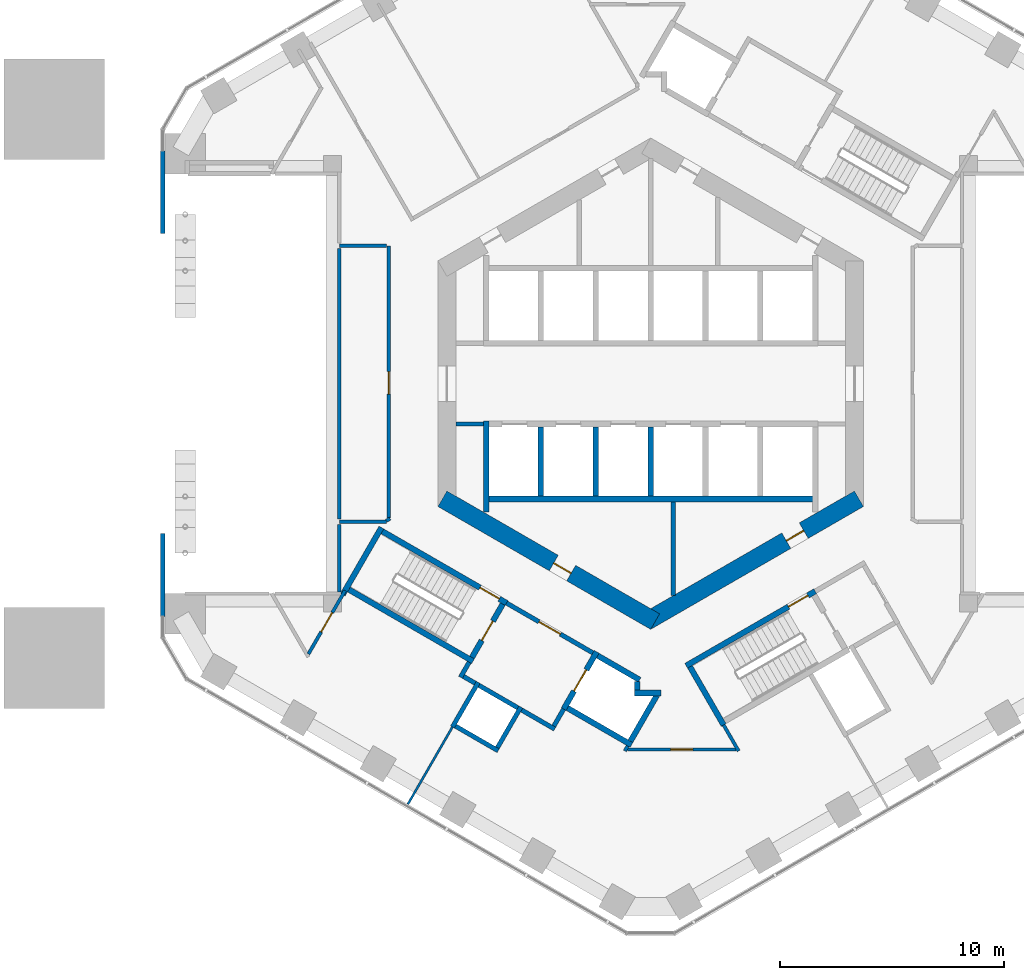
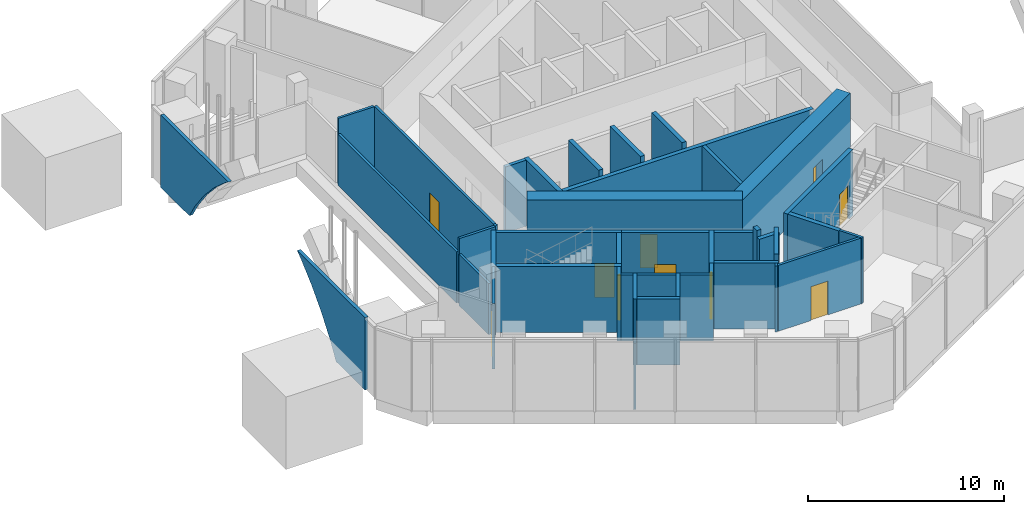
# One storey, part 9 of 14: 43 walls, 10 doors, 10 openings.
"""IFC4 building model written with IfcOpenShell, lengths in metres."""

from ifc_helpers import new_model, si_unit, direction, frame, frame_2d, origin, place, context, subcontext, project, spatial, polyline, rectangle, outline, extrude, material, layer, layer_set, type_object, element, fill, save


model = new_model("IFC4")

# Units and contexts
model_context = context("Model", 3, precision=1e-05, world=origin(), true_north=direction((0.0, 1.0)))
body_context = subcontext(model_context, "Body", "Model", "MODEL_VIEW")
ifc_project = project(units=[si_unit("LENGTHUNIT", "METRE"), si_unit("AREAUNIT", "SQUARE_METRE"), si_unit("VOLUMEUNIT", "CUBIC_METRE"), si_unit("PLANEANGLEUNIT", "RADIAN"), si_unit("MASSUNIT", "GRAM", prefix="KILO")], contexts=[model_context])

# Site, building, storey
site_placement = place(None, origin())
site = spatial("IfcSite", under=ifc_project, at=site_placement, CompositionType="ELEMENT")
building_placement = place(site_placement, origin())
building = spatial("IfcBuilding", under=site, at=building_placement, Name="Ayvan Gate Tower", CompositionType="ELEMENT")
storey_placement = place(building_placement, frame((0.0, 0.0, 11.5)))
storey = spatial("IfcBuildingStorey", under=building, at=storey_placement, Name="L02", CompositionType="ELEMENT", Elevation=11.5)

# Walls
ifc_material_1 = material(Name="Pale metal cladding on insulated wall")
ifc_layer_1 = layer(ifc_material_1, 0.199951171875)
ifc_layer_set_1 = layer_set([ifc_layer_1], Name="Pale metal cladding on insulated wall")
wall_type_1 = type_object("IfcWallType", Name="Arch tympanum wall 200", PredefinedType="SOLIDWALL", material=ifc_layer_set_1)
wall_1_placement = place(storey_placement, frame((-21.6845703125, 10.399658203125, 4.5), z_axis=(1.0, 0.0, 0.0), x_axis=(0.0, -1.0, 0.0)))
element("IfcWall", 1, at=wall_1_placement, inside=storey, type_object=wall_type_1, Name="Arch tympanum wall L02 face 3", PredefinedType="SOLIDWALL", context=body_context, shape_type="SweptSolid", body=[
    extrude(outline(polyline([(0.0, 0.0), (6.89404296875, 0.0), (6.54052734375, 0.2568359375), (5.424072265625, 1.251220703125), (4.41162109375, 2.351318359375), (3.512939453125, 3.546142578125), (2.933837890625, 4.5), (0.0, 4.5), (0.0, 0.0)])), origin(), (0.0, 0.0, -1.0), 0.199951171875),
])
wall_2_placement = place(storey_placement, frame((-21.6845703125, -10.399658203125, 0.0), z_axis=(1.0, 0.0, 0.0), x_axis=(0.0, 1.0, 0.0)))
element("IfcWall", 2, at=wall_2_placement, inside=storey, type_object=wall_type_1, Name="Arch tympanum wall L02 face 3", PredefinedType="SOLIDWALL", context=body_context, shape_type="SweptSolid", body=[
    extrude(outline(polyline([(0.0, 0.0), (2.933837890625, 0.0), (3.512939453125, 0.953857421875), (4.41162109375, 2.148681640625), (5.424072265625, 3.248779296875), (6.54052734375, 4.2431640625), (6.89404296875, 4.5), (0.0, 4.5), (0.0, 0.0)])), origin(), (0.0, 0.0, -1.0), 0.199951171875),
])

# Wall, opening, door
ifc_material_2 = material(Name="Concrete C70/85", Category="concrete")
ifc_layer_2 = layer(ifc_material_2, 0.800048828125)
ifc_layer_set_2 = layer_set([ifc_layer_2], Name="Concrete C70/85")
wall_type_2 = type_object("IfcWallType", Name="Core wall 800 C70/85", PredefinedType="SHEAR", material=ifc_layer_set_2)
wall_3_placement = place(storey_placement, frame((-9.300048828125, -5.138427734375, 0.0), z_axis=(0.0, 0.0, 1.0), x_axis=(0.866023993627, -0.500002442456, 0.0)))
wall_3 = element("IfcWall", 3, at=wall_3_placement, inside=storey, type_object=wall_type_2, Name="CORE-L02-4", PredefinedType="SHEAR", context=body_context, shape_type="SweptSolid", body=[
    extrude(rectangle(XDim=10.9697265625, YDim=0.800048828125, at=frame_2d((5.48486328125, 0.0))), origin(), (0.0, 0.0, 1.0), 4.5),
])
opening_1_placement = place(wall_3_placement, frame((5.73974609375, 0.0, 0.0)))
opening_1 = element("IfcOpeningElement", 4, at=opening_1_placement, cuts=wall_3, Name="Opening L02-D31", PredefinedType="OPENING", context=body_context, shape_type="SweptSolid", body=[
    extrude(rectangle(XDim=0.89990234375, YDim=2.10009765625, at=frame_2d((0.449951171875, 1.050048828125))), frame((0.0, 0.409912109375, 0.0), z_axis=(0.0, -1.0, 0.0), x_axis=(1.0, 0.0, 0.0)), (0.0, 0.0, 1.0), 0.820068359375),
])
ifc_material_3 = material(Name="Timber door leaf", Category="wood")
door_type_1 = type_object("IfcDoorType", Name="DT-900", OperationType="NOTDEFINED", PredefinedType="DOOR", material=ifc_material_3)
door_1_placement = place(opening_1_placement, origin())
door_1 = element("IfcDoor", 5, at=door_1_placement, inside=storey, type_object=door_type_1, Name="CD-L02-31", OperationType="SINGLE_SWING_LEFT", OverallHeight=2.10009765625, OverallWidth=0.89990234375, PredefinedType="DOOR", context=body_context, shape_type="SweptSolid", body=[
    extrude(rectangle(XDim=0.89990234375, YDim=2.10009765625, at=frame_2d((0.449951171875, 1.050048828125))), frame((0.0, 0.02490234375, 0.0), z_axis=(0.0, -1.0, 0.0), x_axis=(1.0, 0.0, 0.0)), (0.0, 0.0, 1.0), 0.050048828125),
])
fill(opening_1, door_1)

wall_4_placement = place(storey_placement, frame((-0.199951171875, -10.623291015625, 0.0), z_axis=(0.0, 0.0, 1.0), x_axis=(0.866023993627, 0.500002442456, 0.0)))
wall_4 = element("IfcWall", 6, at=wall_4_placement, inside=storey, type_object=wall_type_2, Name="CORE-L02-5", PredefinedType="SHEAR", context=body_context, shape_type="SweptSolid", body=[
    extrude(rectangle(XDim=10.9697265625, YDim=0.800048828125, at=frame_2d((5.48486328125, 0.0))), origin(), (0.0, 0.0, 1.0), 4.5),
])
opening_2_placement = place(wall_4_placement, frame((7.2236328125, 0.0, 0.0)))
opening_2 = element("IfcOpeningElement", 7, at=opening_2_placement, cuts=wall_4, Name="Opening L02-D32", PredefinedType="OPENING", context=body_context, shape_type="SweptSolid", body=[
    extrude(rectangle(XDim=0.89990234375, YDim=2.10009765625, at=frame_2d((0.449951171875, 1.050048828125))), frame((0.0, 0.409912109375, 0.0), z_axis=(0.0, -1.0, 0.0), x_axis=(1.0, 0.0, 0.0)), (0.0, 0.0, 1.0), 0.820068359375),
])
door_2_placement = place(opening_2_placement, origin())
door_2 = element("IfcDoor", 8, at=door_2_placement, inside=storey, type_object=door_type_1, Name="CD-L02-32", OperationType="SINGLE_SWING_RIGHT", OverallHeight=2.10009765625, OverallWidth=0.89990234375, PredefinedType="DOOR", context=body_context, shape_type="SweptSolid", body=[
    extrude(rectangle(XDim=0.89990234375, YDim=2.10009765625, at=frame_2d((0.449951171875, 1.050048828125))), frame((0.0, 0.02490234375, 0.0), z_axis=(0.0, -1.0, 0.0), x_axis=(1.0, 0.0, 0.0)), (0.0, 0.0, 1.0), 0.050048828125),
])
fill(opening_2, door_2)

# Walls
ifc_material_4 = material(Name="Plasterboard on steel stud", Category="steel")
ifc_layer_3 = layer(ifc_material_4, 0.14990234375)
ifc_layer_set_3 = layer_set([ifc_layer_3], Name="Plasterboard on steel stud")
wall_type_3 = type_object("IfcWallType", Name="WT-CORR-150", PredefinedType="PARTITIONING", material=ifc_layer_set_3)
wall_5_placement = place(storey_placement, frame((-13.89990234375, -9.29296875, 0.0), z_axis=(0.0, 0.0, 1.0), x_axis=(0.0, 1.0, 0.0)))
element("IfcWall", 9, at=wall_5_placement, inside=storey, type_object=wall_type_3, Name="IW-L02-010", PredefinedType="PARTITIONING", context=body_context, shape_type="SweptSolid", body=[
    extrude(rectangle(XDim=3.01220703125, YDim=0.14990234375, at=frame_2d((1.506103515625, 0.0))), origin(), (0.0, 0.0, 1.0), 3.175048828125),
])
wall_6_placement = place(storey_placement, frame((-13.89990234375, -6.160888671875, 0.0), z_axis=(0.0, 0.0, 1.0), x_axis=(1.0, 0.0, 0.0)))
element("IfcWall", 10, at=wall_6_placement, inside=storey, type_object=wall_type_3, Name="IW-L02-011", PredefinedType="PARTITIONING", context=body_context, shape_type="SweptSolid", body=[
    extrude(rectangle(XDim=2.10400390625, YDim=0.14990234375, at=frame_2d((1.052001953125, 0.0))), origin(), (0.0, 0.0, 1.0), 4.10009765625),
])
wall_7_placement = place(storey_placement, frame((-13.89990234375, -6.040771484375, 0.0), z_axis=(0.0, 0.0, 1.0), x_axis=(0.0, 1.0, 0.0)))
element("IfcWall", 11, at=wall_7_placement, inside=storey, type_object=wall_type_3, Name="IW-L02-012", PredefinedType="PARTITIONING", context=body_context, shape_type="SweptSolid", body=[
    extrude(rectangle(XDim=12.08154296875, YDim=0.14990234375, at=frame_2d((6.040771484375, 0.0))), origin(), (0.0, 0.0, 1.0), 3.175048828125),
])

# Wall, opening, door
wall_8_placement = place(storey_placement, frame((-13.647705078125, -9.23876953125, 0.0), z_axis=(0.0, 0.0, 1.0), x_axis=(-0.50004125829, -0.866001581989, 0.0)))
wall_8 = element("IfcWall", 12, at=wall_8_placement, inside=storey, type_object=wall_type_3, Name="IW-L02-016", PredefinedType="PARTITIONING", context=body_context, shape_type="SweptSolid", body=[
    extrude(rectangle(XDim=3.270263671875, YDim=0.14990234375, at=frame_2d((1.63525390625, 0.0))), origin(), (0.0, 0.0, 1.0), 4.10009765625),
])
opening_3_placement = place(wall_8_placement, frame((1.13525390625, 0.0, 0.0)))
opening_3 = element("IfcOpeningElement", 13, at=opening_3_placement, cuts=wall_8, Name="Opening L02-D21", PredefinedType="OPENING", context=body_context, shape_type="SweptSolid", body=[
    extrude(rectangle(XDim=1.0, YDim=2.10009765625, at=frame_2d((0.5, 1.050048828125))), frame((0.0, 0.0849609375, 0.0), z_axis=(0.0, -1.0, 0.0), x_axis=(1.0, 0.0, 0.0)), (0.0, 0.0, 1.0), 0.169921875),
])
door_type_2 = type_object("IfcDoorType", Name="DT-1000", OperationType="NOTDEFINED", PredefinedType="DOOR", material=ifc_material_3)
door_3_placement = place(opening_3_placement, origin())
door_3 = element("IfcDoor", 14, at=door_3_placement, inside=storey, type_object=door_type_2, Name="ID-L02-021", OperationType="SINGLE_SWING_LEFT", OverallHeight=2.10009765625, OverallWidth=1.0, PredefinedType="DOOR", context=body_context, shape_type="SweptSolid", body=[
    extrude(rectangle(XDim=1.0, YDim=2.10009765625, at=frame_2d((0.5, 1.050048828125))), frame((0.0, 0.02490234375, 0.0), z_axis=(0.0, -1.0, 0.0), x_axis=(1.0, 0.0, 0.0)), (0.0, 0.0, 1.0), 0.050048828125),
])
fill(opening_3, door_3)

# Walls
wall_9_placement = place(storey_placement, frame((-11.7958984375, 6.160888671875, 0.0), z_axis=(0.0, 0.0, 1.0), x_axis=(-1.0, 0.0, 0.0)))
element("IfcWall", 15, at=wall_9_placement, inside=storey, type_object=wall_type_3, Name="IW-L02-018", PredefinedType="PARTITIONING", context=body_context, shape_type="SweptSolid", body=[
    extrude(rectangle(XDim=2.10400390625, YDim=0.14990234375, at=frame_2d((1.052001953125, 0.0))), origin(), (0.0, 0.0, 1.0), 4.10009765625),
])
wall_10_placement = place(storey_placement, frame((-11.805908203125, -6.123291015625, 0.0), z_axis=(0.0, 0.0, 1.0), x_axis=(0.866103179807, 0.499865263774, 0.0)))
element("IfcWall", 16, at=wall_10_placement, inside=storey, type_object=wall_type_3, Name="IW-L02-019", PredefinedType="PARTITIONING", context=body_context, shape_type="SweptSolid", body=[
    extrude(rectangle(XDim=0.197265625, YDim=0.14990234375, at=frame_2d((0.0986328125, 0.0))), origin(), (0.0, 0.0, 1.0), 4.10009765625),
])

# Wall, opening, door
wall_11_placement = place(storey_placement, frame((-11.699951171875, -5.9873046875, 0.0), z_axis=(0.0, 0.0, 1.0), x_axis=(0.0, 1.0, 0.0)))
wall_11 = element("IfcWall", 17, at=wall_11_placement, inside=storey, type_object=wall_type_3, Name="IW-L02-020", PredefinedType="PARTITIONING", context=body_context, shape_type="SweptSolid", body=[
    extrude(rectangle(XDim=12.12451171875, YDim=0.14990234375, at=frame_2d((6.062255859375, 0.0))), origin(), (0.0, 0.0, 1.0), 4.10009765625),
])
opening_4_placement = place(wall_11_placement, frame((5.524658203125, 0.0, 0.0)))
opening_4 = element("IfcOpeningElement", 18, at=opening_4_placement, cuts=wall_11, Name="Opening L02-D26", PredefinedType="OPENING", context=body_context, shape_type="SweptSolid", body=[
    extrude(rectangle(XDim=1.0, YDim=2.10009765625, at=frame_2d((0.5, 1.050048828125))), frame((0.0, 0.0849609375, 0.0), z_axis=(0.0, -1.0, 0.0), x_axis=(1.0, 0.0, 0.0)), (0.0, 0.0, 1.0), 0.169921875),
])
door_4_placement = place(opening_4_placement, origin())
door_4 = element("IfcDoor", 19, at=door_4_placement, inside=storey, type_object=door_type_2, Name="ID-L02-026", OperationType="SINGLE_SWING_RIGHT", OverallHeight=2.10009765625, OverallWidth=1.0, PredefinedType="DOOR", context=body_context, shape_type="SweptSolid", body=[
    extrude(rectangle(XDim=1.0, YDim=2.10009765625, at=frame_2d((0.5, 1.050048828125))), frame((0.0, 0.02490234375, 0.0), z_axis=(0.0, -1.0, 0.0), x_axis=(1.0, 0.0, 0.0)), (0.0, 0.0, 1.0), 0.050048828125),
])
fill(opening_4, door_4)

# Walls
wall_12_placement = place(storey_placement, frame((-1.1552734375, -16.40087890625, 0.0), z_axis=(0.0, 0.0, 1.0), x_axis=(0.500134748329, 0.865947592822, 0.0)))
element("IfcWall", 20, at=wall_12_placement, inside=storey, type_object=wall_type_3, Name="IW-L02-053", PredefinedType="PARTITIONING", context=body_context, shape_type="SweptSolid", body=[
    extrude(rectangle(XDim=0.25634765625, YDim=0.14990234375, at=frame_2d((0.128173828125, 0.0))), origin(), (0.0, 0.0, 1.0), 4.10009765625),
])
wall_13_placement = place(storey_placement, frame((3.255615234375, -15.23876953125, 0.0), z_axis=(0.0, 0.0, 1.0), x_axis=(0.499974444137, -0.866040157966, 0.0)))
element("IfcWall", 21, at=wall_13_placement, inside=storey, type_object=wall_type_3, Name="IW-L02-075", PredefinedType="PARTITIONING", context=body_context, shape_type="SweptSolid", body=[
    extrude(rectangle(XDim=1.341796875, YDim=0.14990234375, at=frame_2d((0.6708984375, 0.0))), origin(), (0.0, 0.0, 1.0), 4.10009765625),
])

# Wall, opening, door
wall_14_placement = place(storey_placement, frame((3.81396484375, -16.3359375, 0.0), z_axis=(0.0, 0.0, 1.0), x_axis=(-1.0, 0.0, 0.0)))
wall_14 = element("IfcWall", 22, at=wall_14_placement, inside=storey, type_object=wall_type_3, Name="IW-L02-078", PredefinedType="PARTITIONING", context=body_context, shape_type="SweptSolid", body=[
    extrude(rectangle(XDim=4.856689453125, YDim=0.14990234375, at=frame_2d((2.42822265625, 0.0))), origin(), (0.0, 0.0, 1.0), 4.10009765625),
])
opening_5_placement = place(wall_14_placement, frame((1.92822265625, 0.0, 0.0)))
opening_5 = element("IfcOpeningElement", 23, at=opening_5_placement, cuts=wall_14, Name="Opening L02-D22", PredefinedType="OPENING", context=body_context, shape_type="SweptSolid", body=[
    extrude(rectangle(XDim=1.0, YDim=2.10009765625, at=frame_2d((0.5, 1.050048828125))), frame((0.0, 0.0849609375, 0.0), z_axis=(0.0, -1.0, 0.0), x_axis=(1.0, 0.0, 0.0)), (0.0, 0.0, 1.0), 0.169921875),
])
door_5_placement = place(opening_5_placement, origin())
door_5 = element("IfcDoor", 24, at=door_5_placement, inside=storey, type_object=door_type_2, Name="ID-L02-022", OperationType="SINGLE_SWING_RIGHT", OverallHeight=2.10009765625, OverallWidth=1.0, PredefinedType="DOOR", context=body_context, shape_type="SweptSolid", body=[
    extrude(rectangle(XDim=1.0, YDim=2.10009765625, at=frame_2d((0.5, 1.050048828125))), frame((0.0, 0.02490234375, 0.0), z_axis=(0.0, -1.0, 0.0), x_axis=(1.0, 0.0, 0.0)), (0.0, 0.0, 1.0), 0.050048828125),
])
fill(opening_5, door_5)

# Walls
ifc_layer_4 = layer(ifc_material_4, 0.10009765625)
ifc_layer_set_4 = layer_set([ifc_layer_4], Name="Plasterboard on steel stud")
wall_type_4 = type_object("IfcWallType", Name="WT-PART-100", PredefinedType="PARTITIONING", material=ifc_layer_set_4)
wall_15_placement = place(storey_placement, frame((-8.85009765625, -15.32861328125, 0.0), z_axis=(0.0, 0.0, 1.0), x_axis=(-0.499991453095, -0.866030338286, 0.0)))
element("IfcWall", 25, at=wall_15_placement, inside=storey, type_object=wall_type_4, Name="IW-L02-024", PredefinedType="PARTITIONING", context=body_context, shape_type="SweptSolid", body=[
    extrude(rectangle(XDim=3.98046875, YDim=0.10009765625, at=frame_2d((1.990234375, 0.0))), origin(), (0.0, 0.0, 1.0), 4.10009765625),
])
ifc_layer_5 = layer(ifc_material_4, 0.199951171875)
ifc_layer_set_5 = layer_set([ifc_layer_5], Name="Plasterboard on steel stud")
wall_type_5 = type_object("IfcWallType", Name="WT-PLUMB-200", PredefinedType="PLUMBINGWALL", material=ifc_layer_set_5)
wall_16_placement = place(storey_placement, frame((-8.85009765625, -15.32861328125, 0.0), z_axis=(0.0, 0.0, 1.0), x_axis=(0.500077740698, 0.865980515519, 0.0)))
element("IfcWall", 26, at=wall_16_placement, inside=storey, type_object=wall_type_5, Name="IW-L02-023", PredefinedType="PLUMBINGWALL", context=body_context, shape_type="SweptSolid", body=[
    extrude(rectangle(XDim=2.300048828125, YDim=0.199951171875, at=frame_2d((1.14990234375, 0.0))), origin(), (0.0, 0.0, 1.0), 4.10009765625),
])
wall_17_placement = place(storey_placement, frame((-6.80810546875, -16.39208984375, 0.0), z_axis=(0.0, 0.0, 1.0), x_axis=(-0.866008176907, 0.50002983664, 0.0)))
element("IfcWall", 27, at=wall_17_placement, inside=storey, type_object=wall_type_5, Name="IW-L02-035", PredefinedType="PLUMBINGWALL", context=body_context, shape_type="SweptSolid", body=[
    extrude(rectangle(XDim=2.199951171875, YDim=0.199951171875, at=frame_2d((1.10009765625, 0.0))), origin(), (0.0, 0.0, 1.0), 4.10009765625),
])
wall_18_placement = place(storey_placement, frame((-5.794677734375, -14.436767578125, 0.0), z_axis=(0.0, 0.0, 1.0), x_axis=(-0.500027713859, -0.866009402589, 0.0)))
element("IfcWall", 28, at=wall_18_placement, inside=storey, type_object=wall_type_5, Name="IW-L02-038", PredefinedType="PLUMBINGWALL", context=body_context, shape_type="SweptSolid", body=[
    extrude(rectangle(XDim=2.10009765625, YDim=0.199951171875, at=frame_2d((1.050048828125, 0.0))), origin(), (0.0, 0.0, 1.0), 4.10009765625),
])
wall_19_placement = place(storey_placement, frame((-5.931396484375, -14.473388671875, 0.0), z_axis=(0.0, 0.0, 1.0), x_axis=(-0.866041268327, 0.499972520799, 0.0)))
element("IfcWall", 29, at=wall_19_placement, inside=storey, type_object=wall_type_5, Name="IW-L02-039", PredefinedType="PLUMBINGWALL", context=body_context, shape_type="SweptSolid", body=[
    extrude(rectangle(XDim=2.0, YDim=0.199951171875, at=frame_2d((1.0, 0.0))), origin(), (0.0, 0.0, 1.0), 4.10009765625),
])
ifc_layer_6 = layer(ifc_material_4, 0.199951171875)
ifc_layer_set_6 = layer_set([ifc_layer_6], Name="Plasterboard on steel stud")
wall_type_6 = type_object("IfcWallType", Name="WT-RATED-200", PredefinedType="PARTITIONING", material=ifc_layer_set_6)
wall_20_placement = place(storey_placement, frame((-8.492919921875, -13.110107421875, 0.0), z_axis=(0.0, 0.0, 1.0), x_axis=(0.500067724834, 0.865986299303, 0.0)))
element("IfcWall", 30, at=wall_20_placement, inside=storey, type_object=wall_type_6, Name="IW-L02-026", PredefinedType="PARTITIONING", context=body_context, shape_type="SweptSolid", body=[
    extrude(rectangle(XDim=0.775390625, YDim=0.199951171875, at=frame_2d((0.3876953125, 0.0))), origin(), (0.0, 0.0, 1.0), 4.10009765625),
])
wall_21_placement = place(storey_placement, frame((-7.83642578125, -13.373291015625, 0.0), z_axis=(0.0, 0.0, 1.0), x_axis=(-0.866232998003, 0.499640263761, 0.0)))
element("IfcWall", 31, at=wall_21_placement, inside=storey, type_object=wall_type_6, Name="IW-L02-028", PredefinedType="PARTITIONING", context=body_context, shape_type="SweptSolid", body=[
    extrude(rectangle(XDim=0.60009765625, YDim=0.199951171875, at=frame_2d((0.300048828125, 0.0))), origin(), (0.0, 0.0, 1.0), 4.10009765625),
])
wall_22_placement = place(storey_placement, frame((-7.474853515625, -1.800048828125, 0.0), z_axis=(0.0, 0.0, 1.0), x_axis=(-1.0, 0.0, 0.0)))
element("IfcWall", 32, at=wall_22_placement, inside=storey, type_object=wall_type_6, Name="IW-L02-034", PredefinedType="PARTITIONING", context=body_context, shape_type="SweptSolid", body=[
    extrude(rectangle(XDim=1.22509765625, YDim=0.199951171875, at=frame_2d((0.612548828125, 0.0))), origin(), (0.0, 0.0, 1.0), 4.10009765625),
])

# Wall, opening, door
wall_23_placement = place(storey_placement, frame((-6.4345703125, -9.794921875, 0.0), z_axis=(0.0, 0.0, 1.0), x_axis=(0.866012907634, -0.500021643343, 0.0)))
wall_23 = element("IfcWall", 33, at=wall_23_placement, inside=storey, type_object=wall_type_6, Name="IW-L02-037", PredefinedType="PARTITIONING", context=body_context, shape_type="SweptSolid", body=[
    extrude(rectangle(XDim=4.449951171875, YDim=0.199951171875, at=frame_2d((2.22509765625, 0.0))), origin(), (0.0, 0.0, 1.0), 4.10009765625),
])
opening_6_placement = place(wall_23_placement, frame((1.675048828125, 0.0, 0.0)))
opening_6 = element("IfcOpeningElement", 34, at=opening_6_placement, cuts=wall_23, Name="Opening L02-D12", PredefinedType="OPENING", context=body_context, shape_type="SweptSolid", body=[
    extrude(rectangle(XDim=1.10009765625, YDim=2.10009765625, at=frame_2d((0.550048828125, 1.050048828125))), frame((0.0, 0.10986328125, 0.0), z_axis=(0.0, -1.0, 0.0), x_axis=(1.0, 0.0, 0.0)), (0.0, 0.0, 1.0), 0.219970703125),
])
door_type_3 = type_object("IfcDoorType", Name="DT-1100", OperationType="NOTDEFINED", PredefinedType="DOOR", material=ifc_material_3)
door_6_placement = place(opening_6_placement, origin())
door_6 = element("IfcDoor", 35, at=door_6_placement, inside=storey, type_object=door_type_3, Name="ID-L02-012", OperationType="SINGLE_SWING_RIGHT", OverallHeight=2.10009765625, OverallWidth=1.10009765625, PredefinedType="DOOR", context=body_context, shape_type="SweptSolid", body=[
    extrude(rectangle(XDim=1.10009765625, YDim=2.10009765625, at=frame_2d((0.550048828125, 1.050048828125))), frame((0.0, 0.02490234375, 0.0), z_axis=(0.0, -1.0, 0.0), x_axis=(1.0, 0.0, 0.0)), (0.0, 0.0, 1.0), 0.050048828125),
])
fill(opening_6, door_6)

# Walls
wall_24_placement = place(storey_placement, frame((-4.285888671875, -15.42333984375, 0.0), z_axis=(0.0, 0.0, 1.0), x_axis=(-0.866025371046, 0.500000056704, 0.0)))
element("IfcWall", 36, at=wall_24_placement, inside=storey, type_object=wall_type_6, Name="IW-L02-045", PredefinedType="PARTITIONING", context=body_context, shape_type="SweptSolid", body=[
    extrude(rectangle(XDim=1.7001953125, YDim=0.199951171875, at=frame_2d((0.85009765625, 0.0))), origin(), (0.0, 0.0, 1.0), 4.10009765625),
])
wall_25_placement = place(storey_placement, frame((-3.885009765625, -14.52880859375, 0.0), z_axis=(0.0, 0.0, 1.0), x_axis=(-0.499859285417, -0.866106630146, 0.0)))
element("IfcWall", 37, at=wall_25_placement, inside=storey, type_object=wall_type_6, Name="IW-L02-046", PredefinedType="PARTITIONING", context=body_context, shape_type="SweptSolid", body=[
    extrude(rectangle(XDim=0.875244140625, YDim=0.199951171875, at=frame_2d((0.4375, 0.0))), origin(), (0.0, 0.0, 1.0), 4.10009765625),
])
wall_26_placement = place(storey_placement, frame((1.0, -5.27490234375, 0.0), z_axis=(0.0, 0.0, 1.0), x_axis=(0.0, -1.0, 0.0)))
element("IfcWall", 38, at=wall_26_placement, inside=storey, type_object=wall_type_6, Name="IW-L02-067", PredefinedType="PARTITIONING", context=body_context, shape_type="SweptSolid", body=[
    extrude(rectangle(XDim=4.193603515625, YDim=0.199951171875, at=frame_2d((2.0966796875, 0.0))), origin(), (0.0, 0.0, 1.0), 4.10009765625),
])
ifc_material_5 = material(Name="Concrete C50/60", Category="concrete")
ifc_layer_7 = layer(ifc_material_5, 0.25)
ifc_layer_set_7 = layer_set([ifc_layer_7], Name="Concrete C50/60")
wall_type_7 = type_object("IfcWallType", Name="WT-RC-250", PredefinedType="SHEAR", material=ifc_layer_set_7)
wall_27_placement = place(storey_placement, frame((-13.7548828125, -9.424072265625, 0.0), z_axis=(0.0, 0.0, 1.0), x_axis=(0.500005140434, 0.866022435933, 0.0)))
element("IfcWall", 39, at=wall_27_placement, inside=storey, type_object=wall_type_7, Name="IW-L02-015", PredefinedType="SHEAR", context=body_context, shape_type="SweptSolid", body=[
    extrude(rectangle(XDim=3.4638671875, YDim=0.25, at=frame_2d((1.73193359375, 0.0))), origin(), (0.0, 0.0, 1.0), 4.10009765625),
])

# Wall, opening, door
wall_28_placement = place(storey_placement, frame((-11.97705078125, -6.594970703125, 0.0), z_axis=(0.0, 0.0, 1.0), x_axis=(0.866025499775, -0.499999833739, 0.0)))
wall_28 = element("IfcWall", 40, at=wall_28_placement, inside=storey, type_object=wall_type_7, Name="IW-L02-017", PredefinedType="SHEAR", context=body_context, shape_type="SweptSolid", body=[
    extrude(rectangle(XDim=6.39990234375, YDim=0.25, at=frame_2d((3.199951171875, 0.0))), origin(), (0.0, 0.0, 1.0), 4.10009765625),
])
opening_7_placement = place(wall_28_placement, frame((5.02490234375, 0.0, 0.0)))
opening_7 = element("IfcOpeningElement", 41, at=opening_7_placement, cuts=wall_28, Name="Opening L02-D10", PredefinedType="OPENING", context=body_context, shape_type="SweptSolid", body=[
    extrude(rectangle(XDim=1.0, YDim=2.10009765625, at=frame_2d((0.5, 1.050048828125))), frame((0.0, 0.135009765625, 0.0), z_axis=(0.0, -1.0, 0.0), x_axis=(1.0, 0.0, 0.0)), (0.0, 0.0, 1.0), 0.27001953125),
])
door_7_placement = place(opening_7_placement, origin())
door_7 = element("IfcDoor", 42, at=door_7_placement, inside=storey, type_object=door_type_2, Name="ID-L02-010", OperationType="SINGLE_SWING_RIGHT", OverallHeight=2.10009765625, OverallWidth=1.0, PredefinedType="DOOR", context=body_context, shape_type="SweptSolid", body=[
    extrude(rectangle(XDim=1.0, YDim=2.10009765625, at=frame_2d((0.5, 1.050048828125))), frame((0.0, 0.02490234375, 0.0), z_axis=(0.0, -1.0, 0.0), x_axis=(1.0, 0.0, 0.0)), (0.0, 0.0, 1.0), 0.050048828125),
])
fill(opening_7, door_7)

# Walls
wall_29_placement = place(storey_placement, frame((-7.9345703125, -12.39306640625, 0.0), z_axis=(0.0, 0.0, 1.0), x_axis=(-0.866025499775, 0.499999833739, 0.0)))
element("IfcWall", 43, at=wall_29_placement, inside=storey, type_object=wall_type_7, Name="IW-L02-027", PredefinedType="SHEAR", context=body_context, shape_type="SweptSolid", body=[
    extrude(rectangle(XDim=6.39990234375, YDim=0.25, at=frame_2d((3.199951171875, 0.0))), origin(), (0.0, 0.0, 1.0), 4.10009765625),
])
wall_30_placement = place(storey_placement, frame((-7.35009765625, -5.730224609375, 0.0), z_axis=(0.0, 0.0, 1.0), x_axis=(0.0, 1.0, 0.0)))
element("IfcWall", 44, at=wall_30_placement, inside=storey, type_object=wall_type_7, Name="IW-L02-031", PredefinedType="SHEAR", context=body_context, shape_type="SweptSolid", body=[
    extrude(rectangle(XDim=4.05517578125, YDim=0.25, at=frame_2d((2.027587890625, 0.0))), origin(), (0.0, 0.0, 1.0), 4.10009765625),
])

# Wall, opening, door
wall_31_placement = place(storey_placement, frame((-6.605224609375, -9.8408203125, 0.0), z_axis=(0.0, 0.0, 1.0), x_axis=(-0.499996545922, -0.866027397988, 0.0)))
wall_31 = element("IfcWall", 45, at=wall_31_placement, inside=storey, type_object=wall_type_7, Name="IW-L02-036", PredefinedType="SHEAR", context=body_context, shape_type="SweptSolid", body=[
    extrude(rectangle(XDim=2.75, YDim=0.25, at=frame_2d((1.375, 0.0))), origin(), (0.0, 0.0, 1.0), 4.10009765625),
])
opening_8_placement = place(wall_31_placement, frame((0.875, 0.0, 0.0)))
opening_8 = element("IfcOpeningElement", 46, at=opening_8_placement, cuts=wall_31, Name="Opening L02-D11", PredefinedType="OPENING", context=body_context, shape_type="SweptSolid", body=[
    extrude(rectangle(XDim=1.0, YDim=2.10009765625, at=frame_2d((0.5, 1.050048828125))), frame((0.0, 0.135009765625, 0.0), z_axis=(0.0, -1.0, 0.0), x_axis=(1.0, 0.0, 0.0)), (0.0, 0.0, 1.0), 0.27001953125),
])
door_8_placement = place(opening_8_placement, origin())
door_8 = element("IfcDoor", 47, at=door_8_placement, inside=storey, type_object=door_type_2, Name="ID-L02-011", OperationType="SINGLE_SWING_LEFT", OverallHeight=2.10009765625, OverallWidth=1.0, PredefinedType="DOOR", context=body_context, shape_type="SweptSolid", body=[
    extrude(rectangle(XDim=1.0, YDim=2.10009765625, at=frame_2d((0.5, 1.050048828125))), frame((0.0, 0.02490234375, 0.0), z_axis=(0.0, -1.0, 0.0), x_axis=(1.0, 0.0, 0.0)), (0.0, 0.0, 1.0), 0.050048828125),
])
fill(opening_8, door_8)

# Walls
wall_32_placement = place(storey_placement, frame((-7.22509765625, -5.14990234375, 0.0), z_axis=(0.0, 0.0, 1.0), x_axis=(1.0, 0.0, 0.0)))
element("IfcWall", 48, at=wall_32_placement, inside=storey, type_object=wall_type_7, Name="IW-L02-041", PredefinedType="SHEAR", context=body_context, shape_type="SweptSolid", body=[
    extrude(rectangle(XDim=14.7001953125, YDim=0.25, at=frame_2d((7.35009765625, 0.0))), origin(), (0.0, 0.0, 1.0), 4.10009765625),
])
wall_33_placement = place(storey_placement, frame((-4.89990234375, -1.925048828125, 0.0), z_axis=(0.0, 0.0, 1.0), x_axis=(0.0, -1.0, 0.0)))
element("IfcWall", 49, at=wall_33_placement, inside=storey, type_object=wall_type_7, Name="IW-L02-042", PredefinedType="SHEAR", context=body_context, shape_type="SweptSolid", body=[
    extrude(rectangle(XDim=3.099853515625, YDim=0.25, at=frame_2d((1.5498046875, 0.0))), origin(), (0.0, 0.0, 1.0), 4.5),
])

# Wall, opening, door
wall_34_placement = place(storey_placement, frame((-2.409912109375, -11.97412109375, 0.0), z_axis=(0.0, 0.0, 1.0), x_axis=(-0.500001826776, -0.866024349092, 0.0)))
wall_34 = element("IfcWall", 50, at=wall_34_placement, inside=storey, type_object=wall_type_7, Name="IW-L02-049", PredefinedType="SHEAR", context=body_context, shape_type="SweptSolid", body=[
    extrude(rectangle(XDim=2.9501953125, YDim=0.25, at=frame_2d((1.47509765625, 0.0))), origin(), (0.0, 0.0, 1.0), 4.10009765625),
])
opening_9_placement = place(wall_34_placement, frame((0.925048828125, 0.0, 0.0)))
opening_9 = element("IfcOpeningElement", 51, at=opening_9_placement, cuts=wall_34, Name="Opening L02-LD-FF2", PredefinedType="OPENING", context=body_context, shape_type="SweptSolid", body=[
    extrude(rectangle(XDim=1.10009765625, YDim=2.10009765625, at=frame_2d((0.550048828125, 1.050048828125))), frame((0.0, 0.135009765625, 0.0), z_axis=(0.0, -1.0, 0.0), x_axis=(1.0, 0.0, 0.0)), (0.0, 0.0, 1.0), 0.27001953125),
])
ifc_material_6 = material(Name="Stainless steel landing door", Category="steel")
door_type_4 = type_object("IfcDoorType", Name="DT-LANDING-1100", OperationType="SLIDING_TO_LEFT", PredefinedType="DOOR", material=ifc_material_6)
door_9_placement = place(opening_9_placement, origin())
door_9 = element("IfcDoor", 52, at=door_9_placement, inside=storey, type_object=door_type_4, Name="ID-L02-013", OperationType="SLIDING_TO_LEFT", OverallHeight=2.10009765625, OverallWidth=1.10009765625, PredefinedType="DOOR", context=body_context, shape_type="SweptSolid", body=[
    extrude(rectangle(XDim=1.10009765625, YDim=2.10009765625, at=frame_2d((0.550048828125, 1.050048828125))), frame((0.0, 0.02490234375, 0.0), z_axis=(0.0, -1.0, 0.0), x_axis=(1.0, 0.0, 0.0)), (0.0, 0.0, 1.0), 0.050048828125),
])
fill(opening_9, door_9)

# Walls
wall_35_placement = place(storey_placement, frame((-2.3642578125, -12.14501953125, 0.0), z_axis=(0.0, 0.0, 1.0), x_axis=(0.86603892542, -0.499976579108, 0.0)))
element("IfcWall", 53, at=wall_35_placement, inside=storey, type_object=wall_type_7, Name="IW-L02-050", PredefinedType="SHEAR", context=body_context, shape_type="SweptSolid", body=[
    extrude(rectangle(XDim=2.162109375, YDim=0.25, at=frame_2d((1.0810546875, 0.0))), origin(), (0.0, 0.0, 1.0), 4.10009765625),
])
wall_36_placement = place(storey_placement, frame((-2.449951171875, -1.925048828125, 0.0), z_axis=(0.0, 0.0, 1.0), x_axis=(0.0, -1.0, 0.0)))
element("IfcWall", 54, at=wall_36_placement, inside=storey, type_object=wall_type_7, Name="IW-L02-051", PredefinedType="SHEAR", context=body_context, shape_type="SweptSolid", body=[
    extrude(rectangle(XDim=3.099853515625, YDim=0.25, at=frame_2d((1.5498046875, 0.0))), origin(), (0.0, 0.0, 1.0), 4.5),
])
wall_37_placement = place(storey_placement, frame((-0.8564453125, -16.13330078125, 0.0), z_axis=(0.0, 0.0, 1.0), x_axis=(-0.866021716278, 0.500006386895, 0.0)))
element("IfcWall", 55, at=wall_37_placement, inside=storey, type_object=wall_type_7, Name="IW-L02-054", PredefinedType="SHEAR", context=body_context, shape_type="SweptSolid", body=[
    extrude(rectangle(XDim=3.2998046875, YDim=0.25, at=frame_2d((1.64990234375, 0.0))), origin(), (0.0, 0.0, 1.0), 4.10009765625),
])
wall_38_placement = place(storey_placement, frame((-0.72509765625, -13.81005859375, 0.0), z_axis=(0.0, 0.0, 1.0), x_axis=(1.0, 0.0, 0.0)))
element("IfcWall", 56, at=wall_38_placement, inside=storey, type_object=wall_type_7, Name="IW-L02-055", PredefinedType="SHEAR", context=body_context, shape_type="SweptSolid", body=[
    extrude(rectangle(XDim=1.190673828125, YDim=0.25, at=frame_2d((0.59521484375, 0.0))), origin(), (0.0, 0.0, 1.0), 4.10009765625),
])
wall_39_placement = place(storey_placement, frame((-0.60009765625, -13.28857421875, 0.0), z_axis=(0.0, 0.0, 1.0), x_axis=(0.0, -1.0, 0.0)))
element("IfcWall", 57, at=wall_39_placement, inside=storey, type_object=wall_type_7, Name="IW-L02-056", PredefinedType="SHEAR", context=body_context, shape_type="SweptSolid", body=[
    extrude(rectangle(XDim=0.396484375, YDim=0.25, at=frame_2d((0.1982421875, 0.0))), origin(), (0.0, 0.0, 1.0), 4.5),
])
wall_40_placement = place(storey_placement, frame((0.0, -1.925048828125, 0.0), z_axis=(0.0, 0.0, 1.0), x_axis=(0.0, -1.0, 0.0)))
element("IfcWall", 58, at=wall_40_placement, inside=storey, type_object=wall_type_7, Name="IW-L02-060", PredefinedType="SHEAR", context=body_context, shape_type="SweptSolid", body=[
    extrude(rectangle(XDim=3.099853515625, YDim=0.25, at=frame_2d((1.5498046875, 0.0))), origin(), (0.0, 0.0, 1.0), 4.5),
])
wall_41_placement = place(storey_placement, frame((0.278076171875, -13.918212890625, 0.0), z_axis=(0.0, 0.0, 1.0), x_axis=(-0.49998806882, -0.866032292145, 0.0)))
element("IfcWall", 59, at=wall_41_placement, inside=storey, type_object=wall_type_7, Name="IW-L02-063", PredefinedType="SHEAR", context=body_context, shape_type="SweptSolid", body=[
    extrude(rectangle(XDim=2.3603515625, YDim=0.25, at=frame_2d((1.18017578125, 0.0))), origin(), (0.0, 0.0, 1.0), 4.5),
])

# Wall, opening, door
wall_42_placement = place(storey_placement, frame((1.584716796875, -12.594970703125, 0.0), z_axis=(0.0, 0.0, 1.0), x_axis=(0.866036417653, 0.499980922934, 0.0)))
wall_42 = element("IfcWall", 60, at=wall_42_placement, inside=storey, type_object=wall_type_7, Name="IW-L02-069", PredefinedType="SHEAR", context=body_context, shape_type="SweptSolid", body=[
    extrude(rectangle(XDim=6.650146484375, YDim=0.25, at=frame_2d((3.3251953125, 0.0))), origin(), (0.0, 0.0, 1.0), 4.10009765625),
])
opening_10_placement = place(wall_42_placement, frame((5.27490234375, 0.0, 0.0)))
opening_10 = element("IfcOpeningElement", 61, at=opening_10_placement, cuts=wall_42, Name="Opening L02-D14", PredefinedType="OPENING", context=body_context, shape_type="SweptSolid", body=[
    extrude(rectangle(XDim=1.0, YDim=2.10009765625, at=frame_2d((0.5, 1.050048828125))), frame((0.0, 0.135009765625, 0.0), z_axis=(0.0, -1.0, 0.0), x_axis=(1.0, 0.0, 0.0)), (0.0, 0.0, 1.0), 0.27001953125),
])
door_10_placement = place(opening_10_placement, origin())
door_10 = element("IfcDoor", 62, at=door_10_placement, inside=storey, type_object=door_type_2, Name="ID-L02-014", OperationType="SINGLE_SWING_RIGHT", OverallHeight=2.10009765625, OverallWidth=1.0, PredefinedType="DOOR", context=body_context, shape_type="SweptSolid", body=[
    extrude(rectangle(XDim=1.0, YDim=2.10009765625, at=frame_2d((0.5, 1.050048828125))), frame((0.0, 0.02490234375, 0.0), z_axis=(0.0, -1.0, 0.0), x_axis=(1.0, 0.0, 0.0)), (0.0, 0.0, 1.0), 0.050048828125),
])
fill(opening_10, door_10)

# Wall
wall_43_placement = place(storey_placement, frame((3.255615234375, -15.23876953125, 0.0), z_axis=(0.0, 0.0, 1.0), x_axis=(-0.50002537861, 0.866010750942, 0.0)))
element("IfcWall", 63, at=wall_43_placement, inside=storey, type_object=wall_type_7, Name="IW-L02-076", PredefinedType="SHEAR", context=body_context, shape_type="SweptSolid", body=[
    extrude(rectangle(XDim=2.999755859375, YDim=0.25, at=frame_2d((1.5, 0.0))), origin(), (0.0, 0.0, 1.0), 4.10009765625),
])

save(model, "model.ifc")
